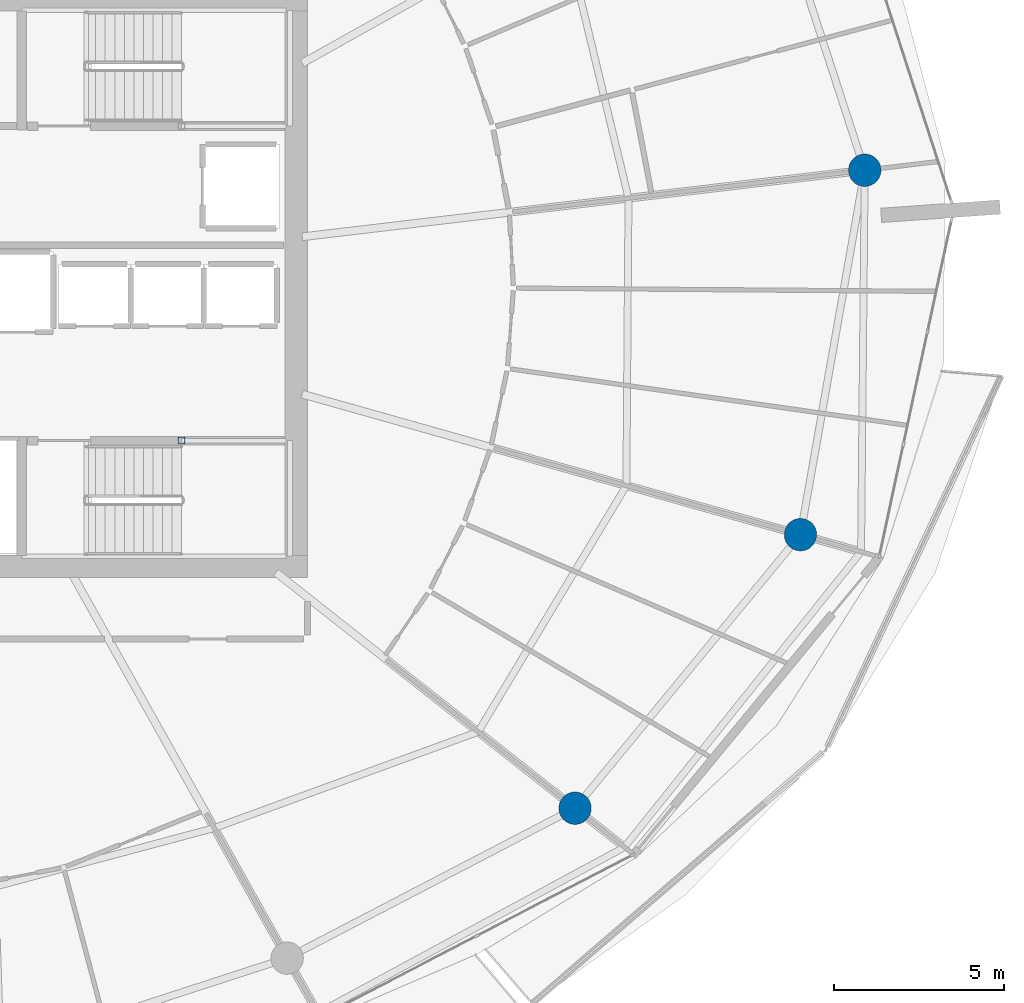
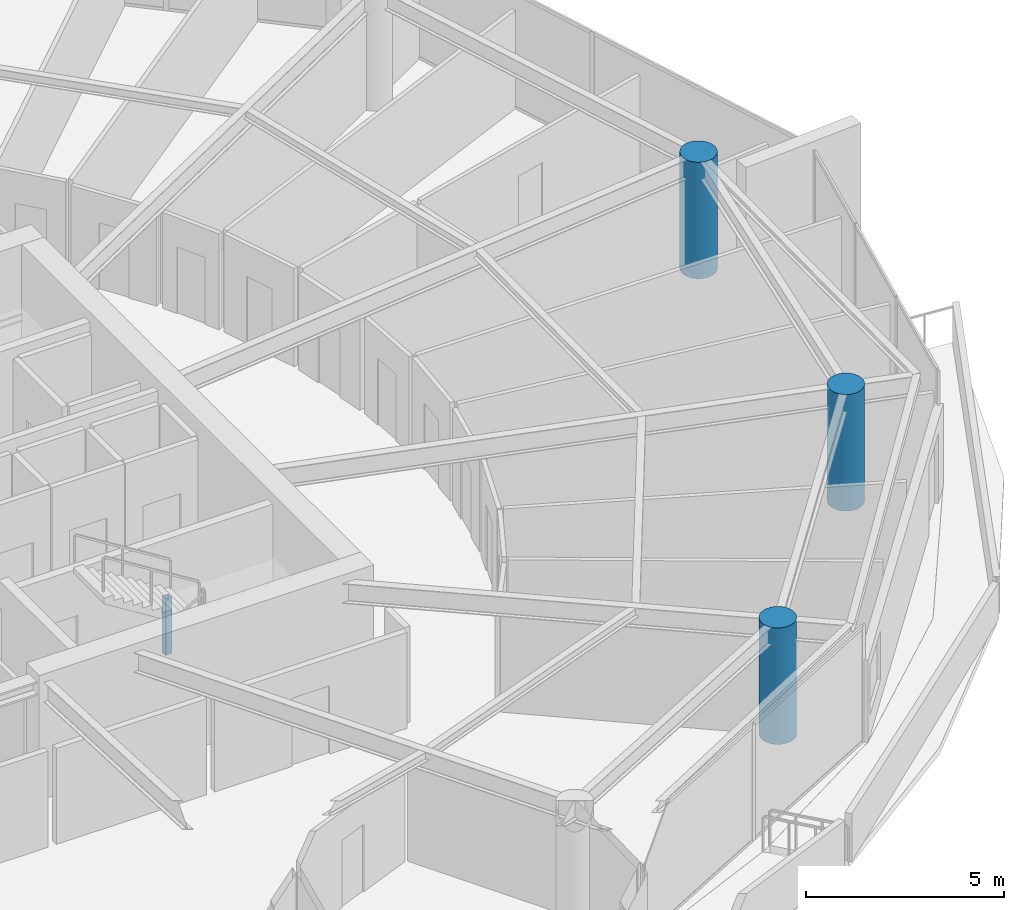
# One storey, part 3 of 30: 4 columns.
"""IFC4 building model written with IfcOpenShell, lengths in metres."""

from ifc_helpers import new_model, si_unit, direction, frame, origin, origin_2d, place, context, subcontext, project, spatial, hollow_rectangle, circle, extrude, material, material_profile, profile_set, type_object, element, save


model = new_model("IFC4")

# Units and contexts
model_context = context("Model", 3, precision=1e-05, world=origin(), true_north=direction((0.0, 1.0)))
body_context = subcontext(model_context, "Body", "Model", "MODEL_VIEW")
ifc_project = project(units=[si_unit("LENGTHUNIT", "METRE"), si_unit("AREAUNIT", "SQUARE_METRE"), si_unit("VOLUMEUNIT", "CUBIC_METRE"), si_unit("PLANEANGLEUNIT", "RADIAN"), si_unit("MASSUNIT", "GRAM", prefix="KILO")], contexts=[model_context])

# Site, building, storey
site_placement = place(None, origin())
site = spatial("IfcSite", under=ifc_project, at=site_placement, CompositionType="ELEMENT")
building_placement = place(site_placement, origin())
building = spatial("IfcBuilding", under=site, at=building_placement, Name="Kazma Halo Residences", CompositionType="ELEMENT")
storey_placement = place(building_placement, frame((0.0, 0.0, 263.64990234375)))
storey = spatial("IfcBuildingStorey", under=building, at=storey_placement, Name="L66", CompositionType="ELEMENT", Elevation=263.64990234375)

# Columns
ifc_material_1 = material(Name="Steel S355", Category="steel")
ifc_material_profile_1 = material_profile(ifc_material_1, hollow_rectangle(XDim=0.199951171875, YDim=0.199951171875, WallThickness=0.010009765625, InnerFilletRadius=0.010009765625, OuterFilletRadius=0.02001953125, at=origin_2d()), Name="SHS200x200x10")
ifc_profile_set_1 = profile_set([ifc_material_profile_1], Name="Steel S355")
column_type_1 = type_object("IfcColumnType", Name="COL-LP-SHS200", PredefinedType="COLUMN", material=ifc_profile_set_1)
column_placement = place(storey_placement, frame((56.0, 37.3798828125, 0.0), z_axis=(0.0, 0.0, 1.0), x_axis=(1.0, 0.0, 0.0)))
element("IfcColumn", 1, at=column_placement, inside=storey, type_object=column_type_1, Name="L66 ST-03 landing pilaster 1", PredefinedType="COLUMN", context=body_context, shape_type="SweptSolid", body=[
    extrude(hollow_rectangle(XDim=0.199951171875, YDim=0.199951171875, WallThickness=0.010009765625, InnerFilletRadius=0.010009765625, OuterFilletRadius=0.02001953125, at=origin_2d()), origin(), (0.0, 0.0, 1.0), 1.72021484375),
])
ifc_material_2 = material(Name="Concrete C60/75", Category="concrete")
ifc_material_profile_2 = material_profile(ifc_material_2, circle(Radius=0.47509765625, at=origin_2d()), Name="CIRC950")
ifc_profile_set_2 = profile_set([ifc_material_profile_2], Name="Concrete C60/75")
column_type_2 = type_object("IfcColumnType", Name="COL-PERIM-950", PredefinedType="COLUMN", material=ifc_profile_set_2)
for number, where, z_axis, x_axis, name in (
    (2, (67.566162109375, 26.5751953125, 0.0), (0.0, 0.0, 1.0), (1.0, 0.0, 0.0), "L66 perimeter ring column P14"),
    (3, (74.19091796875, 34.61328125, 0.0), (0.0, 0.0, 1.0), (1.0, 0.0, 0.0), "L66 perimeter ring column P15"),
    (4, (76.07958984375, 45.323486328125, 0.0), (0.0, 0.0, 1.0), (1.0, 0.0, 0.0), "L66 perimeter ring column P16"),
):
    element("IfcColumn", number, at=place(storey_placement, frame(where, z_axis=z_axis, x_axis=x_axis)), inside=storey, type_object=column_type_2, Name=name, PredefinedType="COLUMN", context=body_context, shape_type="SweptSolid", body=[
        extrude(circle(Radius=0.47509765625, at=origin_2d()), origin(), (0.0, 0.0, 1.0), 3.590087890625),
    ])

save(model, "model.ifc")
